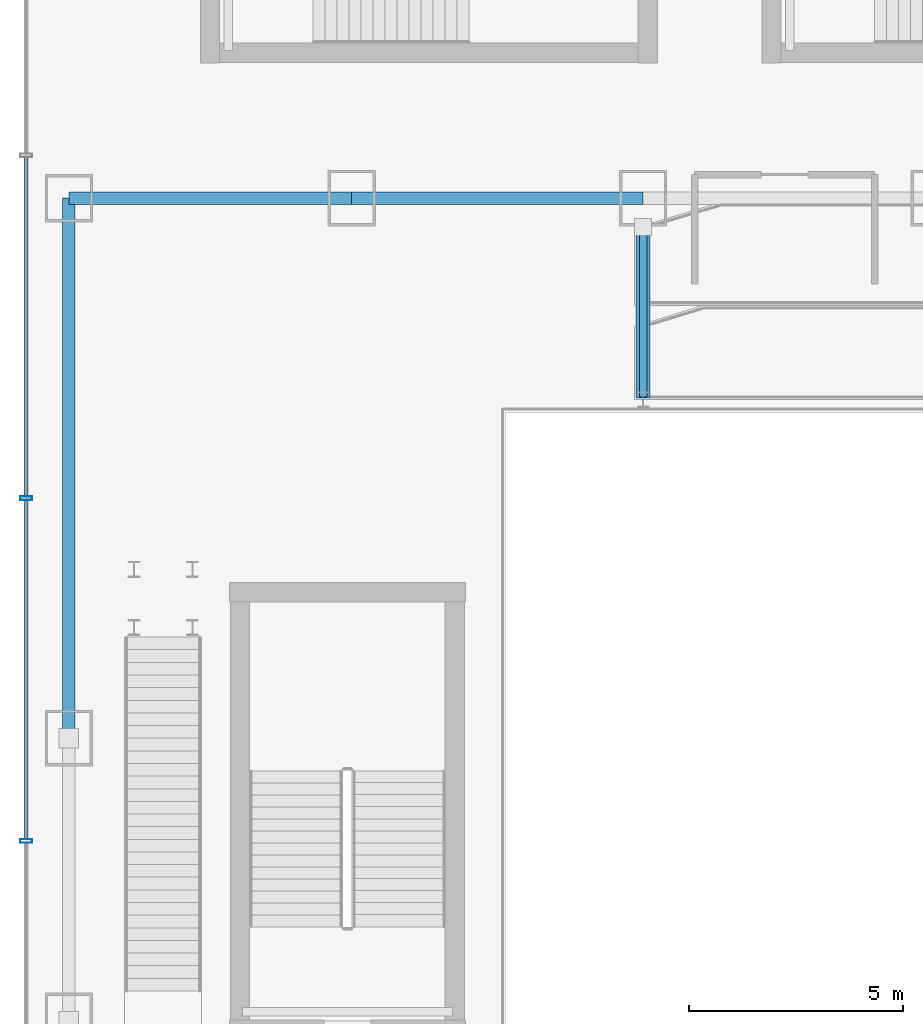
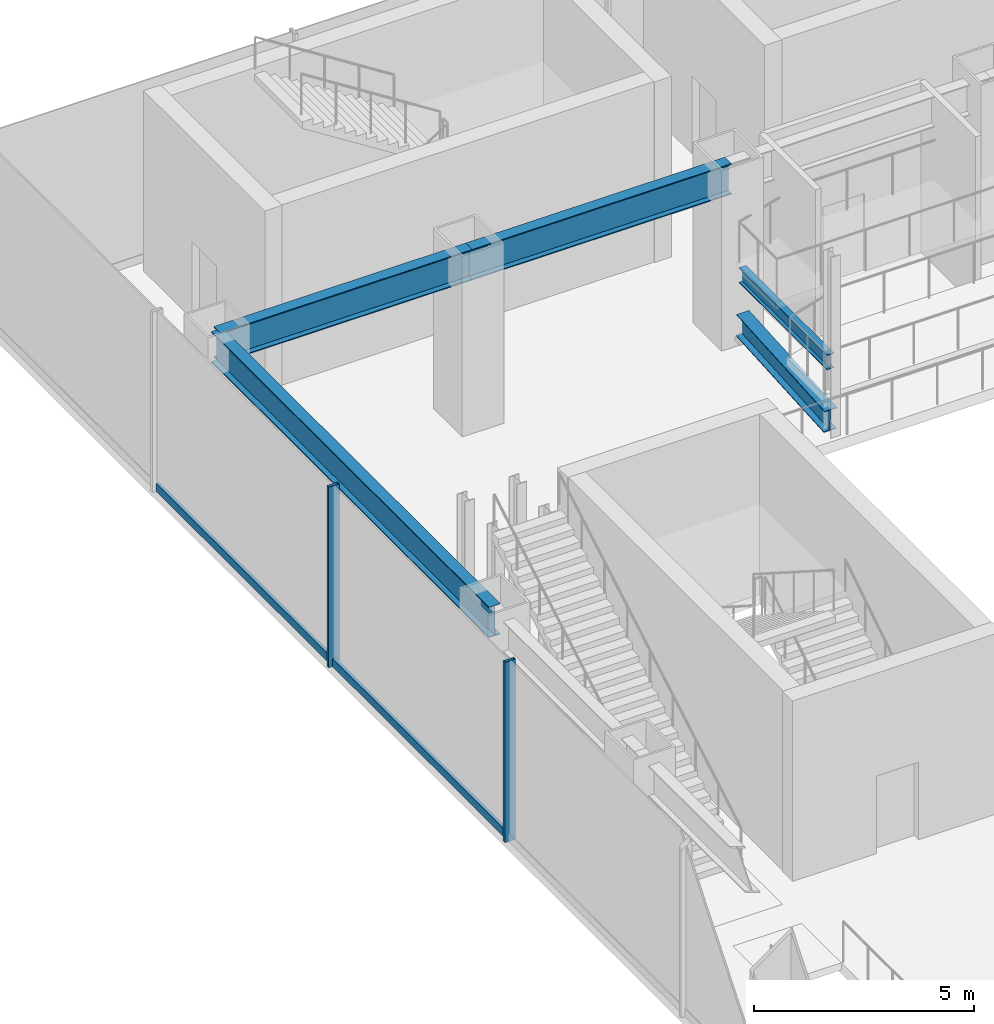
# One storey, part 12 of 40: 5 beams, 4 members, 1 element without a shape of its own.
"""IFC4 building model written with IfcOpenShell, lengths in metres."""

from ifc_helpers import new_model, si_unit, derived_unit, direction, frame, origin, origin_2d, place, context, subcontext, project, spatial, hollow_rectangle, i_section, extrude, source, transform, mapped, material, material_profile, profile_set, type_object, element, aggregate, save


model = new_model("IFC4")

# Units and contexts
model_context = context("Model", 3, precision=1e-05, world=origin(), true_north=direction((0.0, 1.0)))
body_context = subcontext(model_context, "Body", "Model", "MODEL_VIEW")
ifc_project = project(units=[si_unit("LENGTHUNIT", "METRE"), si_unit("AREAUNIT", "SQUARE_METRE"), si_unit("VOLUMEUNIT", "CUBIC_METRE"), si_unit("PLANEANGLEUNIT", "RADIAN"), si_unit("MASSUNIT", "GRAM", prefix="KILO"), derived_unit("THERMALTRANSMITTANCEUNIT", [(si_unit("POWERUNIT", "WATT"), 1), (si_unit("LENGTHUNIT", "METRE"), -2), (si_unit("THERMODYNAMICTEMPERATUREUNIT", "KELVIN"), -1)])], contexts=[model_context])

# Site, building, storey
site_placement = place(None, origin())
site = spatial("IfcSite", under=ifc_project, at=site_placement, CompositionType="ELEMENT")
building_placement = place(site_placement, origin())
building = spatial("IfcBuilding", under=site, at=building_placement, Name="Skarnbrae Concourse Arena and Tower", CompositionType="ELEMENT")
storey_placement = place(building_placement, frame((0.0, 0.0, 6.0)))
storey = spatial("IfcBuildingStorey", under=building, at=storey_placement, Name="L01", CompositionType="ELEMENT", Elevation=6.0)

# Beams
ifc_material_1 = material(Name="Steel CSA G40.21 350W", Category="steel")
ifc_material_profile_1 = material_profile(ifc_material_1, i_section(OverallWidth=0.2939453125, OverallDepth=0.85107421875, WebThickness=0.01611328125, FlangeThickness=0.02685546875, at=origin_2d()), Name="W840X226")
ifc_profile_set_1 = profile_set([ifc_material_profile_1], Name="Steel CSA G40.21 350W")
beam_type_1 = type_object("IfcBeamType", Name="BM-GIRD-W840X226", PredefinedType="BEAM", material=ifc_profile_set_1)
shared_shape_1 = source(origin(), body_context, "Body", "SweptSolid", [
    extrude(i_section(OverallWidth=0.2939453125, OverallDepth=0.85107421875, WebThickness=0.01611328125, FlangeThickness=0.02685546875, at=origin_2d()), origin(), (0.0, 0.0, 1.0), 6.60009765625),
])
beam_1_placement = place(storey_placement, frame((1.0, 47.0, 4.2744140625), z_axis=(1.0, 0.0, 0.0), x_axis=(0.0, 1.0, 0.0)))
element("IfcBeam", 1, at=beam_1_placement, inside=storey, type_object=beam_type_1, Name="L01 Podium north girder 1", PredefinedType="BEAM", context=body_context, shape_type="MappedRepresentation", body=[
    mapped(shared_shape_1, transform((0.0, 0.0, 0.0))),
])
shared_shape_2 = source(origin(), body_context, "Body", "SweptSolid", [
    extrude(i_section(OverallWidth=0.2939453125, OverallDepth=0.85107421875, WebThickness=0.01611328125, FlangeThickness=0.02685546875, at=origin_2d()), origin(), (0.0, 0.0, 1.0), 6.7998046875),
])
beam_2_placement = place(storey_placement, frame((7.60009765625, 47.0, 4.2744140625), z_axis=(1.0, 0.0, 0.0), x_axis=(0.0, 1.0, 0.0)))
element("IfcBeam", 2, at=beam_2_placement, inside=storey, type_object=beam_type_1, Name="L01 Podium north girder 2", PredefinedType="BEAM", context=body_context, shape_type="MappedRepresentation", body=[
    mapped(shared_shape_2, transform((0.0, 0.0, 0.0))),
])
shared_shape_3 = source(origin(), body_context, "Body", "SweptSolid", [
    extrude(i_section(OverallWidth=0.2939453125, OverallDepth=0.85107421875, WebThickness=0.01611328125, FlangeThickness=0.02685546875, at=origin_2d()), origin(), (0.0, 0.0, 1.0), 12.60009765625),
])
beam_3_placement = place(storey_placement, frame((1.0, 34.39990234375, 4.2744140625), z_axis=(0.0, 1.0, 0.0), x_axis=(-1.0, 0.0, 0.0)))
element("IfcBeam", 3, at=beam_3_placement, inside=storey, type_object=beam_type_1, Name="L01 Podium west girder 5", PredefinedType="BEAM", context=body_context, shape_type="MappedRepresentation", body=[
    mapped(shared_shape_3, transform((0.0, 0.0, 0.0))),
])
ifc_material_profile_2 = material_profile(ifc_material_1, i_section(OverallWidth=0.180908203125, OverallDepth=0.4169921875, WebThickness=0.010986328125, FlangeThickness=0.018310546875, at=origin_2d()), Name="W410X85")
ifc_profile_set_2 = profile_set([ifc_material_profile_2], Name="Steel CSA G40.21 350W")
beam_type_2 = type_object("IfcBeamType", Name="BM-JOIST-W410X85", PredefinedType="JOIST", material=ifc_profile_set_2)
shared_shape_4 = source(origin(), body_context, "Body", "SweptSolid", [
    extrude(i_section(OverallWidth=0.180908203125, OverallDepth=0.4169921875, WebThickness=0.010986328125, FlangeThickness=0.018310546875, at=origin_2d()), origin(), (0.0, 0.0, 1.0), 4.0),
])
beam_4_placement = place(storey_placement, frame((14.39990234375, 42.360107421875, 1.94140625), z_axis=(0.0, 1.0, 0.0), x_axis=(-1.0, 0.0, 0.0)))
element("IfcBeam", 4, at=beam_4_placement, inside=storey, type_object=beam_type_2, Name="L01 Arena upper seating tier cradle beam N01", PredefinedType="JOIST", context=body_context, shape_type="MappedRepresentation", body=[
    mapped(shared_shape_4, transform((0.0, 0.0, 0.0))),
])
ifc_material_profile_3 = material_profile(ifc_material_1, i_section(OverallWidth=0.323974609375, OverallDepth=0.611083984375, WebThickness=0.0126953125, FlangeThickness=0.01904296875, at=origin_2d()), Name="W610X155")
ifc_profile_set_3 = profile_set([ifc_material_profile_3], Name="Steel CSA G40.21 350W")
beam_type_3 = type_object("IfcBeamType", Name="BM-RAKER-W610X155", PredefinedType="USERDEFINED", material=ifc_profile_set_3)
shared_shape_5 = source(origin(), body_context, "Body", "SweptSolid", [
    extrude(i_section(OverallWidth=0.323974609375, OverallDepth=0.611083984375, WebThickness=0.0126953125, FlangeThickness=0.01904296875, at=origin_2d()), origin(), (0.0, 0.0, 1.0), 4.008544921875),
])
beam_5_placement = place(storey_placement, frame((14.39990234375, 42.360107421875, 0.320068359375), z_axis=(0.0, 0.997894012809, 0.064865547097), x_axis=(-1.0, 0.0, 0.0)))
element("IfcBeam", 5, at=beam_5_placement, inside=storey, type_object=beam_type_3, Name="L01 Arena bowl sloped raker beam RB-N01", ObjectType="RAKER", PredefinedType="USERDEFINED", context=body_context, shape_type="MappedRepresentation", body=[
    mapped(shared_shape_5, transform((0.0, 0.0, 0.0))),
])

# Curtain wall, members
ifc_material_2 = material(Name="Bronze anodised aluminium 6063-T6", Category="aluminium")
curtain_wall_type = type_object("IfcCurtainWallType", Name="CW-SYS-01-PODIUM", PredefinedType="USERDEFINED", material=ifc_material_2)
curtain_wall_placement = place(storey_placement, origin())
curtain_wall = element("IfcCurtainWall", 6, at=curtain_wall_placement, inside=storey, type_object=curtain_wall_type, Name="L01 Unitised curtain wall CW-L01-W", ObjectType="UNITISED CURTAIN WALL", PredefinedType="USERDEFINED")
ifc_material_profile_4 = material_profile(ifc_material_2, hollow_rectangle(XDim=0.0849609375, YDim=0.280029296875, WallThickness=0.006103515625, at=origin_2d()), Name="ALU-MULL-85X280")
ifc_profile_set_4 = profile_set([ifc_material_profile_4], Name="Bronze anodised aluminium 6063-T6")
member_type_1 = type_object("IfcMemberType", Name="CWM-CW-01", PredefinedType="MULLION", material=ifc_profile_set_4)
shared_shape_6 = source(origin(), body_context, "Body", "SweptSolid", [
    extrude(hollow_rectangle(XDim=0.0849609375, YDim=0.280029296875, WallThickness=0.006103515625, at=origin_2d()), origin(), (0.0, 0.0, 1.0), 5.0),
])
member_1_placement = place(storey_placement, frame((0.0, 40.0, 0.0), z_axis=(0.0, 0.0, 1.0), x_axis=(0.0, -1.0, 0.0)))
member_1 = element("IfcMember", 7, at=member_1_placement, type_object=member_type_1, Name="CW-L01-W Mullion 3", PredefinedType="MULLION", context=body_context, shape_type="MappedRepresentation", body=[
    mapped(shared_shape_6, transform((0.0, 0.0, 0.0))),
])
member_2_placement = place(storey_placement, frame((0.0, 32.0, 0.0), z_axis=(0.0, 0.0, 1.0), x_axis=(0.0, -1.0, 0.0)))
member_2 = element("IfcMember", 8, at=member_2_placement, type_object=member_type_1, Name="CW-L01-W Mullion 4", PredefinedType="MULLION", context=body_context, shape_type="MappedRepresentation", body=[
    mapped(shared_shape_6, transform((0.0, 0.0, 0.0))),
])
ifc_material_profile_5 = material_profile(ifc_material_2, hollow_rectangle(XDim=0.0849609375, YDim=0.219970703125, WallThickness=0.006103515625, at=origin_2d()), Name="ALU-TRAN-85X220")
ifc_profile_set_5 = profile_set([ifc_material_profile_5], Name="Bronze anodised aluminium 6063-T6")
member_type_2 = type_object("IfcMemberType", Name="CWT-CW-01", PredefinedType="USERDEFINED", material=ifc_profile_set_5)
shared_shape_7 = source(origin(), body_context, "Body", "SweptSolid", [
    extrude(hollow_rectangle(XDim=0.0849609375, YDim=0.219970703125, WallThickness=0.006103515625, at=origin_2d()), origin(), (0.0, 0.0, 1.0), 7.9150390625),
])
member_3_placement = place(storey_placement, frame((0.0, 47.95751953125, 0.110107421875), z_axis=(0.0, -1.0, 0.0), x_axis=(1.0, 0.0, 0.0)))
member_3 = element("IfcMember", 9, at=member_3_placement, type_object=member_type_2, Name="CW-L01-W Transom 2", ObjectType="TRANSOM", PredefinedType="USERDEFINED", context=body_context, shape_type="MappedRepresentation", body=[
    mapped(shared_shape_7, transform((0.0, 0.0, 0.0))),
])
member_4_placement = place(storey_placement, frame((0.0, 39.95751953125, 0.110107421875), z_axis=(0.0, -1.0, 0.0), x_axis=(1.0, 0.0, 0.0)))
member_4 = element("IfcMember", 10, at=member_4_placement, type_object=member_type_2, Name="CW-L01-W Transom 3", ObjectType="TRANSOM", PredefinedType="USERDEFINED", context=body_context, shape_type="MappedRepresentation", body=[
    mapped(shared_shape_7, transform((0.0, 0.0, 0.0))),
])
aggregate(curtain_wall, [member_1, member_2, member_3, member_4])

save(model, "model.ifc")
